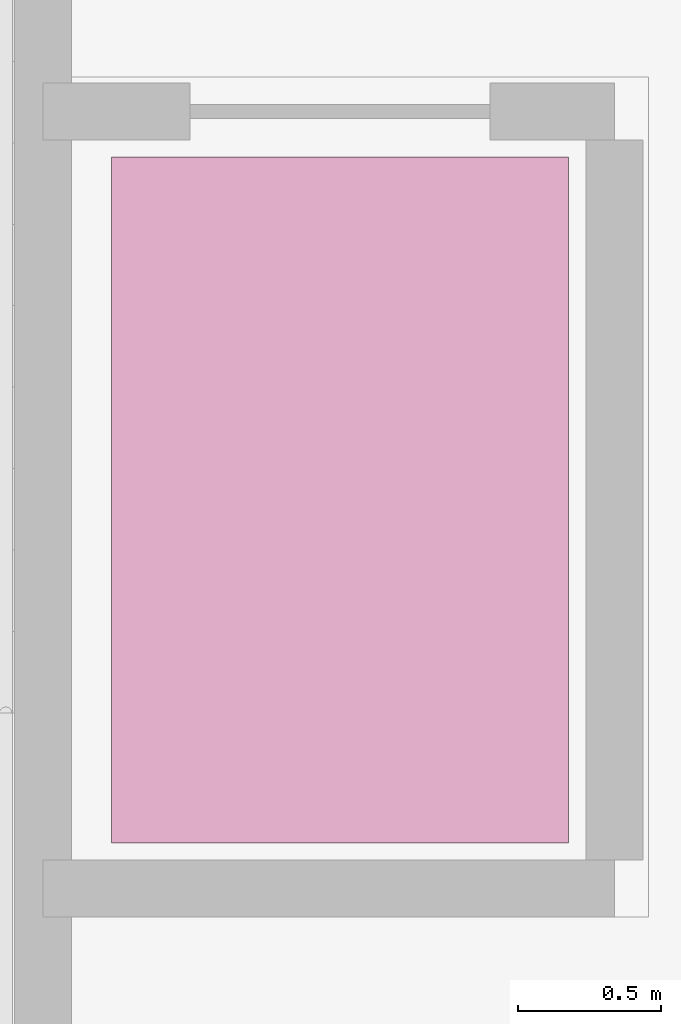
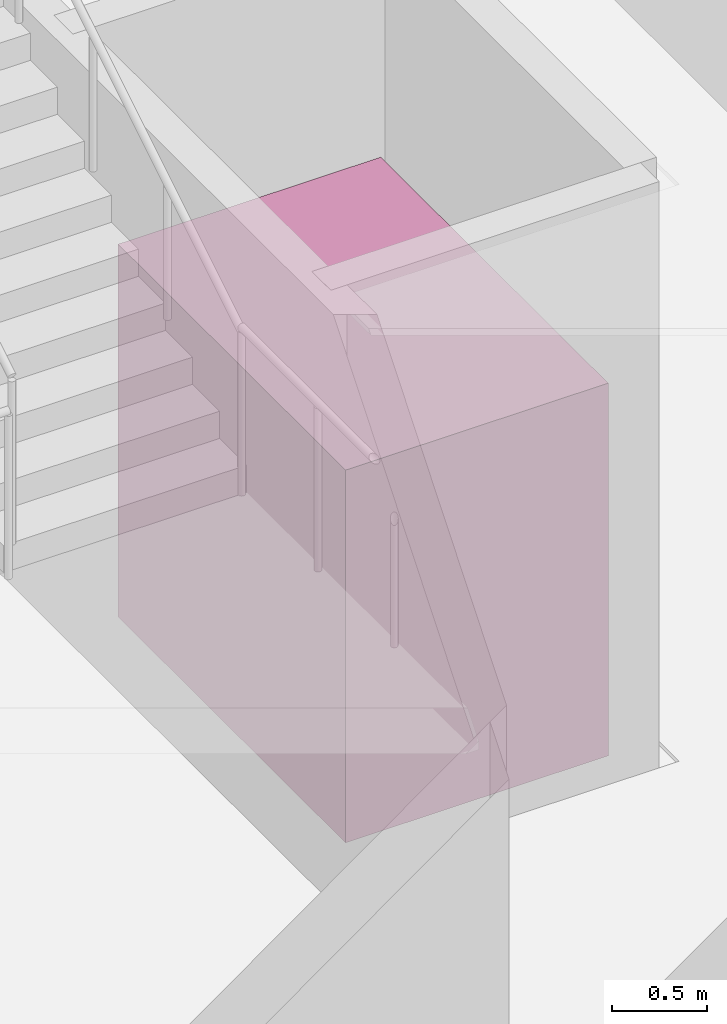
# One storey, part 27 of 27: 1 transport element.
"""IFC4 building model written with IfcOpenShell, lengths in metres."""

from ifc_helpers import new_model, si_unit, direction, frame, origin, origin_2d, place, context, subcontext, project, spatial, rectangle, extrude, material, type_object, element, save


model = new_model("IFC4")

# Units and contexts
model_context = context("Model", 3, precision=1e-05, world=origin(), true_north=direction((0.0, 1.0)))
body_context = subcontext(model_context, "Body", "Model", "MODEL_VIEW")
ifc_project = project(units=[si_unit("LENGTHUNIT", "METRE"), si_unit("AREAUNIT", "SQUARE_METRE"), si_unit("VOLUMEUNIT", "CUBIC_METRE"), si_unit("PLANEANGLEUNIT", "RADIAN"), si_unit("MASSUNIT", "GRAM", prefix="KILO")], contexts=[model_context])

# Site, building, storey
site_placement = place(None, origin())
site = spatial("IfcSite", under=ifc_project, at=site_placement, CompositionType="ELEMENT")
building_placement = place(site_placement, origin())
building = spatial("IfcBuilding", under=site, at=building_placement, Name="Qobustan Lattice House", CompositionType="ELEMENT")
storey_placement = place(building_placement, frame((0.0, 0.0, 266.0)))
storey = spatial("IfcBuildingStorey", under=building, at=storey_placement, Name="L75", CompositionType="ELEMENT", Elevation=266.0)

# Transport element
ifc_material = material(Name="Stainless steel firefighting elevator car", Category="steel")
transport_element_type = type_object("IfcTransportElementType", Name="LFT-FIREFIGHTING-1800", PredefinedType="ELEVATOR", material=ifc_material)
transport_element_placement = place(storey_placement, frame((2.679931640625, -1.239990234375, 0.0), z_axis=(0.0, 0.0, 1.0), x_axis=(1.0, 0.0, 0.0)))
element("IfcTransportElement", 1, at=transport_element_placement, inside=storey, type_object=transport_element_type, Name="Crown Firefighting Lift FF-C", PredefinedType="ELEVATOR", context=body_context, shape_type="SweptSolid", body=[
    extrude(rectangle(XDim=1.60009765625, YDim=2.39990234375, at=origin_2d()), origin(), (0.0, 0.0, 1.0), 2.39990234375),
])

save(model, "model.ifc")
